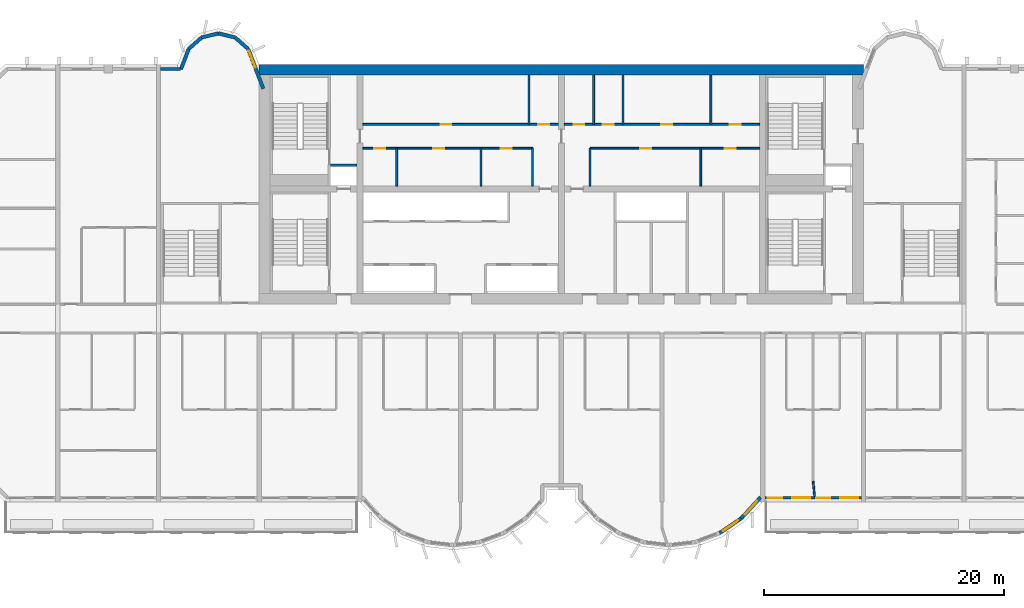
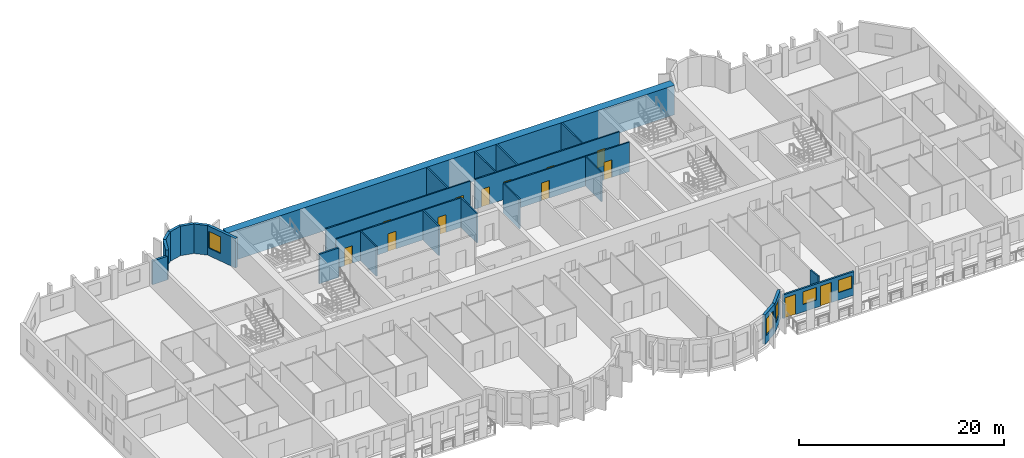
# One storey, part 7 of 14: 26 walls, 13 doors, 5 windows, 18 openings.
"""IFC4 building model written with IfcOpenShell, lengths in metres."""

from ifc_helpers import new_model, si_unit, direction, frame, frame_2d, origin, place, context, subcontext, project, spatial, rectangle, extrude, source, transform, mapped, material, layer, layer_set, type_object, element, fill, save


model = new_model("IFC4")

# Units and contexts
model_context = context("Model", 3, precision=1e-05, world=origin(), true_north=direction((0.0, 1.0)))
body_context = subcontext(model_context, "Body", "Model", "MODEL_VIEW")
ifc_project = project(units=[si_unit("LENGTHUNIT", "METRE"), si_unit("AREAUNIT", "SQUARE_METRE"), si_unit("VOLUMEUNIT", "CUBIC_METRE"), si_unit("PLANEANGLEUNIT", "RADIAN"), si_unit("MASSUNIT", "GRAM", prefix="KILO")], contexts=[model_context])

# Site, building, storey
site_placement = place(None, origin())
site = spatial("IfcSite", under=ifc_project, at=site_placement, CompositionType="ELEMENT")
building_placement = place(site_placement, origin())
building = spatial("IfcBuilding", under=site, at=building_placement, Name="Vanashikhar Sky Hotel", CompositionType="ELEMENT")
storey_placement = place(building_placement, frame((0.0, 0.0, 114.199951171875)))
storey = spatial("IfcBuildingStorey", under=building, at=storey_placement, Name="L27", CompositionType="ELEMENT", Elevation=114.199951171875)

# Wall
ifc_material_1 = material(Name="Concrete M70", Category="concrete")
ifc_layer_1 = layer(ifc_material_1, 0.89990234375)
ifc_layer_set_1 = layer_set([ifc_layer_1], Name="RC core shell wall 900 Concrete M70")
wall_type_1 = type_object("IfcWallType", Name="RC core shell wall 900 Concrete M70", PredefinedType="SHEAR", material=ifc_layer_set_1)
shared_shape_1 = source(origin(), body_context, "Body", "SweptSolid", [
    extrude(rectangle(XDim=50.400146484375, YDim=0.89990234375, at=frame_2d((25.2001953125, 0.0))), origin(), (0.0, 0.0, 1.0), 3.52001953125),
])
wall_1_placement = place(storey_placement, frame((25.199951171875, 41.550048828125, 0.0), z_axis=(0.0, 0.0, 1.0), x_axis=(1.0, 0.0, 0.0)))
element("IfcWall", 1, at=wall_1_placement, inside=storey, type_object=wall_type_1, Name="KW-L27-KN", PredefinedType="SHEAR", context=body_context, shape_type="MappedRepresentation", body=[
    mapped(shared_shape_1, transform((0.0, 0.0, 0.0), scale=1.0)),
])

# Wall, opening, window
ifc_material_2 = material(Name="Concrete M50", Category="concrete")
ifc_layer_2 = layer(ifc_material_2, 0.300048828125)
ifc_layer_set_2 = layer_set([ifc_layer_2], Name="Lobe wall 300")
wall_type_2 = type_object("IfcWallType", Name="Lobe wall 300", PredefinedType="SOLIDWALL", material=ifc_layer_set_2)
shared_shape_2 = source(origin(), body_context, "Body", "SweptSolid", [
    extrude(rectangle(XDim=2.398193359375, YDim=0.300048828125, at=frame_2d((1.19921875, 0.0))), origin(), (0.0, 0.0, 1.0), 3.52001953125),
])
wall_2_placement = place(storey_placement, frame((65.404296875, 4.13134765625, 0.0), z_axis=(0.0, 0.0, 1.0), x_axis=(0.675374189419, 0.737475222815, 0.0)))
wall_2 = element("IfcWall", 2, at=wall_2_placement, inside=storey, type_object=wall_type_2, Name="Lobe wall", PredefinedType="SOLIDWALL", context=body_context, shape_type="MappedRepresentation", body=[
    mapped(shared_shape_2, transform((0.0, 0.0, 0.0), scale=1.0)),
])
shared_shape_3 = source(origin(), body_context, "Body", "SweptSolid", [
    extrude(rectangle(XDim=1.5, YDim=2.0, at=frame_2d((0.75, 1.0))), frame((0.0, 0.16015625, 0.0), z_axis=(0.0, -1.0, 0.0), x_axis=(1.0, 0.0, 0.0)), (0.0, 0.0, 1.0), 0.320068359375),
])
opening_1_placement = place(wall_2_placement, frame((0.44921875, 0.0, 0.89990234375)))
opening_1 = element("IfcOpeningElement", 3, at=opening_1_placement, cuts=wall_2, Name="Opening WN-2", PredefinedType="OPENING", context=body_context, shape_type="MappedRepresentation", body=[
    mapped(shared_shape_3, transform((0.0, 0.0, 0.0), scale=1.0)),
])
ifc_material_3 = material(Name="Glass", Category="glass")
window_type_1 = type_object("IfcWindowType", Name="Lobe window 1500 x 2000", PartitioningType="SINGLE_PANEL", PredefinedType="WINDOW", material=ifc_material_3)
shared_shape_4 = source(origin(), body_context, "Body", "SweptSolid", [
    extrude(rectangle(XDim=1.5, YDim=2.0, at=frame_2d((0.75, 1.0))), frame((0.0, 0.030029296875, 0.0), z_axis=(0.0, -1.0, 0.0), x_axis=(1.0, 0.0, 0.0)), (0.0, 0.0, 1.0), 0.06005859375),
])
window_1_placement = place(opening_1_placement, origin())
window_1 = element("IfcWindow", 4, at=window_1_placement, inside=storey, type_object=window_type_1, Name="Window WN-2", OverallHeight=2.0, OverallWidth=1.5, PartitioningType="SINGLE_PANEL", PredefinedType="WINDOW", context=body_context, shape_type="MappedRepresentation", body=[
    mapped(shared_shape_4, transform((0.0, 0.0, 0.0), scale=1.0)),
])
fill(opening_1, window_1)

shared_shape_5 = source(origin(), body_context, "Body", "SweptSolid", [
    extrude(rectangle(XDim=2.17578125, YDim=0.300048828125, at=frame_2d((1.087890625, 0.0))), origin(), (0.0, 0.0, 1.0), 3.52001953125),
])
wall_3_placement = place(storey_placement, frame((63.59912109375, 2.91650390625, 0.0), z_axis=(0.0, 0.0, 1.0), x_axis=(0.829625727223, 0.558319937607, 0.0)))
wall_3 = element("IfcWall", 5, at=wall_3_placement, inside=storey, type_object=wall_type_2, Name="Lobe wall", PredefinedType="SOLIDWALL", context=body_context, shape_type="MappedRepresentation", body=[
    mapped(shared_shape_5, transform((0.0, 0.0, 0.0), scale=1.0)),
])
opening_2_placement = place(wall_3_placement, frame((0.337890625, 0.0, 0.89990234375)))
opening_2 = element("IfcOpeningElement", 6, at=opening_2_placement, cuts=wall_3, Name="Opening WN-2", PredefinedType="OPENING", context=body_context, shape_type="MappedRepresentation", body=[
    mapped(shared_shape_3, transform((0.0, 0.0, 0.0), scale=1.0)),
])
window_2_placement = place(opening_2_placement, origin())
window_2 = element("IfcWindow", 7, at=window_2_placement, inside=storey, type_object=window_type_1, Name="Window WN-2", OverallHeight=2.0, OverallWidth=1.5, PartitioningType="SINGLE_PANEL", PredefinedType="WINDOW", context=body_context, shape_type="MappedRepresentation", body=[
    mapped(shared_shape_4, transform((0.0, 0.0, 0.0), scale=1.0)),
])
fill(opening_2, window_2)

shared_shape_6 = source(origin(), body_context, "Body", "SweptSolid", [
    extrude(rectangle(XDim=3.55908203125, YDim=0.300048828125, at=frame_2d((1.779541015625, 0.0))), origin(), (0.0, 0.0, 1.0), 3.52001953125),
])
wall_4_placement = place(storey_placement, frame((25.550048828125, 39.968505859375, 0.0), z_axis=(0.0, 0.0, 1.0), x_axis=(-0.35779745313, 0.933799219604, 0.0)))
wall_4 = element("IfcWall", 8, at=wall_4_placement, inside=storey, type_object=wall_type_2, Name="Lobe wall", PredefinedType="SOLIDWALL", context=body_context, shape_type="MappedRepresentation", body=[
    mapped(shared_shape_6, transform((0.0, 0.0, 0.0), scale=1.0)),
])
opening_3_placement = place(wall_4_placement, frame((1.9033203125, 0.0, 0.89990234375)))
opening_3 = element("IfcOpeningElement", 9, at=opening_3_placement, cuts=wall_4, Name="Opening WN-2", PredefinedType="OPENING", context=body_context, shape_type="MappedRepresentation", body=[
    mapped(shared_shape_3, transform((0.0, 0.0, 0.0), scale=1.0)),
])
window_3_placement = place(opening_3_placement, origin())
window_3 = element("IfcWindow", 10, at=window_3_placement, inside=storey, type_object=window_type_1, Name="Window WN-2", OverallHeight=2.0, OverallWidth=1.5, PartitioningType="SINGLE_PANEL", PredefinedType="WINDOW", context=body_context, shape_type="MappedRepresentation", body=[
    mapped(shared_shape_4, transform((0.0, 0.0, 0.0), scale=1.0)),
])
fill(opening_3, window_3)

# Walls
shared_shape_7 = source(origin(), body_context, "Body", "SweptSolid", [
    extrude(rectangle(XDim=1.440185546875, YDim=0.300048828125, at=frame_2d((0.72021484375, 0.0))), origin(), (0.0, 0.0, 1.0), 3.52001953125),
])
wall_5_placement = place(storey_placement, frame((24.276611328125, 43.2919921875, 0.0), z_axis=(0.0, 0.0, 1.0), x_axis=(-0.749649827867, 0.661834673902, 0.0)))
element("IfcWall", 11, at=wall_5_placement, inside=storey, type_object=wall_type_2, Name="Lobe wall", PredefinedType="SOLIDWALL", context=body_context, shape_type="MappedRepresentation", body=[
    mapped(shared_shape_7, transform((0.0, 0.0, 0.0), scale=1.0)),
])
shared_shape_8 = source(origin(), body_context, "Body", "SweptSolid", [
    extrude(rectangle(XDim=1.4384765625, YDim=0.300048828125, at=frame_2d((0.71923828125, 0.0))), origin(), (0.0, 0.0, 1.0), 3.52001953125),
])
wall_6_placement = place(storey_placement, frame((23.197021484375, 44.2451171875, 0.0), z_axis=(0.0, 0.0, 1.0), x_axis=(-0.971152283879, 0.238460146601, 0.0)))
element("IfcWall", 12, at=wall_6_placement, inside=storey, type_object=wall_type_2, Name="Lobe wall", PredefinedType="SOLIDWALL", context=body_context, shape_type="MappedRepresentation", body=[
    mapped(shared_shape_8, transform((0.0, 0.0, 0.0), scale=1.0)),
])
shared_shape_9 = source(origin(), body_context, "Body", "SweptSolid", [
    extrude(rectangle(XDim=1.438720703125, YDim=0.300048828125, at=frame_2d((0.71923828125, 0.0))), origin(), (0.0, 0.0, 1.0), 3.52001953125),
])
wall_7_placement = place(storey_placement, frame((21.800048828125, 44.588134765625, 0.0), z_axis=(0.0, 0.0, 1.0), x_axis=(-0.971161932466, -0.238420848351, 0.0)))
element("IfcWall", 13, at=wall_7_placement, inside=storey, type_object=wall_type_2, Name="Lobe wall", PredefinedType="SOLIDWALL", context=body_context, shape_type="MappedRepresentation", body=[
    mapped(shared_shape_9, transform((0.0, 0.0, 0.0), scale=1.0)),
])
shared_shape_10 = source(origin(), body_context, "Body", "SweptSolid", [
    extrude(rectangle(XDim=1.43994140625, YDim=0.300048828125, at=frame_2d((0.719970703125, 0.0))), origin(), (0.0, 0.0, 1.0), 3.52001953125),
])
wall_8_placement = place(storey_placement, frame((20.40283203125, 44.2451171875, 0.0), z_axis=(0.0, 0.0, 1.0), x_axis=(-0.74957555648, -0.661918790432, 0.0)))
element("IfcWall", 14, at=wall_8_placement, inside=storey, type_object=wall_type_2, Name="Lobe wall", PredefinedType="SOLIDWALL", context=body_context, shape_type="MappedRepresentation", body=[
    mapped(shared_shape_10, transform((0.0, 0.0, 0.0), scale=1.0)),
])
shared_shape_11 = source(origin(), body_context, "Body", "SweptSolid", [
    extrude(rectangle(XDim=1.81201171875, YDim=0.300048828125, at=frame_2d((0.906005859375, 0.0))), origin(), (0.0, 0.0, 1.0), 3.52001953125),
])
wall_9_placement = place(storey_placement, frame((19.323486328125, 43.2919921875, 0.0), z_axis=(0.0, 0.0, 1.0), x_axis=(-0.357877270961, -0.93376863244, 0.0)))
element("IfcWall", 15, at=wall_9_placement, inside=storey, type_object=wall_type_2, Name="Lobe wall", PredefinedType="SOLIDWALL", context=body_context, shape_type="MappedRepresentation", body=[
    mapped(shared_shape_11, transform((0.0, 0.0, 0.0), scale=1.0)),
])

# Wall, openings, windows, doors
ifc_layer_3 = layer(ifc_material_2, 0.199951171875)
ifc_layer_set_3 = layer_set([ifc_layer_3], Name="Front window wall 200")
wall_type_3 = type_object("IfcWallType", Name="Front window wall 200", PredefinedType="SOLIDWALL", material=ifc_layer_set_3)
shared_shape_12 = source(origin(), body_context, "Body", "SweptSolid", [
    extrude(rectangle(XDim=8.050048828125, YDim=0.199951171875, at=frame_2d((4.02490234375, 0.0))), origin(), (0.0, 0.0, 1.0), 2.820068359375),
])
wall_10_placement = place(storey_placement, frame((67.375, 5.85009765625, 0.0), z_axis=(0.0, 0.0, 1.0), x_axis=(1.0, 0.0, 0.0)))
wall_10 = element("IfcWall", 16, at=wall_10_placement, inside=storey, type_object=wall_type_3, Name="Front window wall", PredefinedType="SOLIDWALL", context=body_context, shape_type="MappedRepresentation", body=[
    mapped(shared_shape_12, transform((0.0, 0.0, 0.0), scale=1.0)),
])
shared_shape_13 = source(origin(), body_context, "Body", "SweptSolid", [
    extrude(rectangle(XDim=1.199951171875, YDim=2.39990234375, at=frame_2d((0.60009765625, 1.199951171875))), frame((0.0, 0.10986328125, 0.0), z_axis=(0.0, -1.0, 0.0), x_axis=(1.0, 0.0, 0.0)), (0.0, 0.0, 1.0), 0.219970703125),
])
opening_4_placement = place(wall_10_placement, frame((0.25, 0.0, 0.0)))
opening_4 = element("IfcOpeningElement", 17, at=opening_4_placement, cuts=wall_10, Name="Opening BD-08", PredefinedType="OPENING", context=body_context, shape_type="MappedRepresentation", body=[
    mapped(shared_shape_13, transform((0.0, 0.0, 0.0), scale=1.0)),
])
shared_shape_14 = source(origin(), body_context, "Body", "SweptSolid", [
    extrude(rectangle(XDim=1.5, YDim=1.5, at=frame_2d((0.75, 0.75))), frame((0.0, 0.10986328125, 0.0), z_axis=(0.0, -1.0, 0.0), x_axis=(1.0, 0.0, 0.0)), (0.0, 0.0, 1.0), 0.219970703125),
])
opening_5_placement = place(wall_10_placement, frame((2.27490234375, 0.0, 0.89990234375)))
opening_5 = element("IfcOpeningElement", 18, at=opening_5_placement, cuts=wall_10, Name="Opening WN-1", PredefinedType="OPENING", context=body_context, shape_type="MappedRepresentation", body=[
    mapped(shared_shape_14, transform((0.0, 0.0, 0.0), scale=1.0)),
])
opening_6_placement = place(wall_10_placement, frame((4.27490234375, 0.0, 0.0)))
opening_6 = element("IfcOpeningElement", 19, at=opening_6_placement, cuts=wall_10, Name="Opening BD-09", PredefinedType="OPENING", context=body_context, shape_type="MappedRepresentation", body=[
    mapped(shared_shape_13, transform((0.0, 0.0, 0.0), scale=1.0)),
])
opening_7_placement = place(wall_10_placement, frame((6.300048828125, 0.0, 0.89990234375)))
opening_7 = element("IfcOpeningElement", 20, at=opening_7_placement, cuts=wall_10, Name="Opening WN-1", PredefinedType="OPENING", context=body_context, shape_type="MappedRepresentation", body=[
    mapped(shared_shape_14, transform((0.0, 0.0, 0.0), scale=1.0)),
])
window_type_2 = type_object("IfcWindowType", Name="Window 1500 x 1500", PartitioningType="SINGLE_PANEL", PredefinedType="WINDOW", material=ifc_material_3)
shared_shape_15 = source(origin(), body_context, "Body", "SweptSolid", [
    extrude(rectangle(XDim=1.5, YDim=1.5, at=frame_2d((0.75, 0.75))), frame((0.0, 0.030029296875, 0.0), z_axis=(0.0, -1.0, 0.0), x_axis=(1.0, 0.0, 0.0)), (0.0, 0.0, 1.0), 0.06005859375),
])
window_4_placement = place(opening_5_placement, origin())
window_4 = element("IfcWindow", 21, at=window_4_placement, inside=storey, type_object=window_type_2, Name="Window WN-1", OverallHeight=1.5, OverallWidth=1.5, PartitioningType="SINGLE_PANEL", PredefinedType="WINDOW", context=body_context, shape_type="MappedRepresentation", body=[
    mapped(shared_shape_15, transform((0.0, 0.0, 0.0), scale=1.0)),
])
fill(opening_5, window_4)
window_5_placement = place(opening_7_placement, origin())
window_5 = element("IfcWindow", 22, at=window_5_placement, inside=storey, type_object=window_type_2, Name="Window WN-1", OverallHeight=1.5, OverallWidth=1.5, PartitioningType="SINGLE_PANEL", PredefinedType="WINDOW", context=body_context, shape_type="MappedRepresentation", body=[
    mapped(shared_shape_15, transform((0.0, 0.0, 0.0), scale=1.0)),
])
fill(opening_7, window_5)
ifc_material_4 = material(Name="Aluminium", Category="aluminium")
door_type_1 = type_object("IfcDoorType", Name="Balcony sliding door 1200 x 2400", OperationType="NOTDEFINED", PredefinedType="DOOR", material=ifc_material_4)
shared_shape_16 = source(origin(), body_context, "Body", "SweptSolid", [
    extrude(rectangle(XDim=1.199951171875, YDim=2.39990234375, at=frame_2d((0.60009765625, 1.199951171875))), frame((0.0, 0.02490234375, 0.0), z_axis=(0.0, -1.0, 0.0), x_axis=(1.0, 0.0, 0.0)), (0.0, 0.0, 1.0), 0.050048828125),
])
door_1_placement = place(opening_4_placement, origin())
door_1 = element("IfcDoor", 23, at=door_1_placement, inside=storey, type_object=door_type_1, Name="Balcony sliding door", OperationType="SLIDING_TO_RIGHT", OverallHeight=2.39990234375, OverallWidth=1.199951171875, PredefinedType="DOOR", context=body_context, shape_type="MappedRepresentation", body=[
    mapped(shared_shape_16, transform((0.0, 0.0, 0.0), scale=1.0)),
])
fill(opening_4, door_1)
door_2_placement = place(opening_6_placement, origin())
door_2 = element("IfcDoor", 24, at=door_2_placement, inside=storey, type_object=door_type_1, Name="Balcony sliding door", OperationType="SLIDING_TO_LEFT", OverallHeight=2.39990234375, OverallWidth=1.199951171875, PredefinedType="DOOR", context=body_context, shape_type="MappedRepresentation", body=[
    mapped(shared_shape_16, transform((0.0, 0.0, 0.0), scale=1.0)),
])
fill(opening_6, door_2)

# Walls
ifc_layer_4 = layer(ifc_material_2, 0.25)
ifc_layer_set_4 = layer_set([ifc_layer_4], Name="Rear and end board-marked wall 250")
wall_type_4 = type_object("IfcWallType", Name="Rear and end board-marked wall 250", PredefinedType="SOLIDWALL", material=ifc_layer_set_4)
shared_shape_17 = source(origin(), body_context, "Body", "SweptSolid", [
    extrude(rectangle(XDim=1.682861328125, YDim=0.25, at=frame_2d((0.84130859375, 0.0))), origin(), (0.0, 0.0, 1.0), 2.820068359375),
])
wall_11_placement = place(storey_placement, frame((18.657958984375, 41.625, 0.0), z_axis=(0.0, 0.0, 1.0), x_axis=(-1.0, 0.0, 0.0)))
element("IfcWall", 25, at=wall_11_placement, inside=storey, type_object=wall_type_4, Name="Rear board-marked wall", PredefinedType="SOLIDWALL", context=body_context, shape_type="MappedRepresentation", body=[
    mapped(shared_shape_17, transform((0.0, 0.0, 0.0), scale=1.0)),
])
ifc_material_5 = material(Name="Gypsum board partition")
ifc_layer_5 = layer(ifc_material_5, 0.14990234375)
ifc_layer_set_5 = layer_set([ifc_layer_5], Name="Service partition 150")
wall_type_5 = type_object("IfcWallType", Name="Service partition 150", PredefinedType="PARTITIONING", material=ifc_layer_set_5)
shared_shape_18 = source(origin(), body_context, "Body", "SweptSolid", [
    extrude(rectangle(XDim=3.14990234375, YDim=0.14990234375, at=frame_2d((1.574951171875, 0.0))), origin(), (0.0, 0.0, 1.0), 3.52001953125),
])
for number, where, z_axis, x_axis, name in (
    (26, (48.0, 31.85009765625, 0.0), (0.0, 0.0, 1.0), (0.0, 1.0, 0.0), "Service partition 150"),
    (27, (36.6650390625, 31.85009765625, 0.0), (0.0, 0.0, 1.0), (0.0, 1.0, 0.0), "Service partition 150"),
    (28, (43.702880859375, 31.85009765625, 0.0), (0.0, 0.0, 1.0), (0.0, 1.0, 0.0), "Service partition 150"),
    (29, (52.800048828125, 31.85009765625, 0.0), (0.0, 0.0, 1.0), (0.0, 1.0, 0.0), "Service partition 150"),
    (30, (62.02392578125, 31.85009765625, 0.0), (0.0, 0.0, 1.0), (0.0, 1.0, 0.0), "Service partition 150"),
):
    element("IfcWall", number, at=place(storey_placement, frame(where, z_axis=z_axis, x_axis=x_axis)), inside=storey, type_object=wall_type_5, Name=name, PredefinedType="PARTITIONING", context=body_context, shape_type="MappedRepresentation", body=[
        mapped(shared_shape_18, transform((0.0, 0.0, 0.0), scale=1.0)),
    ])

# Wall, openings, doors
shared_shape_19 = source(origin(), body_context, "Body", "SweptSolid", [
    extrude(rectangle(XDim=14.14990234375, YDim=0.14990234375, at=frame_2d((7.074951171875, 0.0))), origin(), (0.0, 0.0, 1.0), 3.52001953125),
])
wall_12_placement = place(storey_placement, frame((33.85009765625, 35.0, 0.0), z_axis=(0.0, 0.0, 1.0), x_axis=(1.0, 0.0, 0.0)))
wall_12 = element("IfcWall", 31, at=wall_12_placement, inside=storey, type_object=wall_type_5, Name="Service partition 150", PredefinedType="PARTITIONING", context=body_context, shape_type="MappedRepresentation", body=[
    mapped(shared_shape_19, transform((0.0, 0.0, 0.0), scale=1.0)),
])
shared_shape_20 = source(origin(), body_context, "Body", "SweptSolid", [
    extrude(rectangle(XDim=0.89990234375, YDim=2.10009765625, at=frame_2d((0.449951171875, 1.050048828125))), frame((0.0, 0.0849609375, 0.0), z_axis=(0.0, -1.0, 0.0), x_axis=(1.0, 0.0, 0.0)), (0.0, 0.0, 1.0), 0.169921875),
])
opening_8_placement = place(wall_12_placement, frame((0.9580078125, 0.0, 0.0)))
opening_8 = element("IfcOpeningElement", 32, at=opening_8_placement, cuts=wall_12, Name="Opening DC-4-A", PredefinedType="OPENING", context=body_context, shape_type="MappedRepresentation", body=[
    mapped(shared_shape_20, transform((0.0, 0.0, 0.0), scale=1.0)),
])
opening_9_placement = place(wall_12_placement, frame((5.884033203125, 0.0, 0.0)))
opening_9 = element("IfcOpeningElement", 33, at=opening_9_placement, cuts=wall_12, Name="Opening DC-4-A", PredefinedType="OPENING", context=body_context, shape_type="MappedRepresentation", body=[
    mapped(shared_shape_20, transform((0.0, 0.0, 0.0), scale=1.0)),
])
opening_10_placement = place(wall_12_placement, frame((11.513916015625, 0.0, 0.0)))
opening_10 = element("IfcOpeningElement", 34, at=opening_10_placement, cuts=wall_12, Name="Opening DC-4-A", PredefinedType="OPENING", context=body_context, shape_type="MappedRepresentation", body=[
    mapped(shared_shape_20, transform((0.0, 0.0, 0.0), scale=1.0)),
])
ifc_material_6 = material(Name="Steel", Category="steel")
door_type_2 = type_object("IfcDoorType", Name="Service door 900 FD60", OperationType="NOTDEFINED", PredefinedType="DOOR", material=ifc_material_6)
shared_shape_21 = source(origin(), body_context, "Body", "SweptSolid", [
    extrude(rectangle(XDim=0.89990234375, YDim=2.10009765625, at=frame_2d((0.449951171875, 1.050048828125))), frame((0.0, 0.02490234375, 0.0), z_axis=(0.0, -1.0, 0.0), x_axis=(1.0, 0.0, 0.0)), (0.0, 0.0, 1.0), 0.050048828125),
])
door_3_placement = place(opening_8_placement, origin())
door_3 = element("IfcDoor", 35, at=door_3_placement, inside=storey, type_object=door_type_2, Name="Service door 900 FD60", OperationType="SINGLE_SWING_RIGHT", OverallHeight=2.10009765625, OverallWidth=0.89990234375, PredefinedType="DOOR", context=body_context, shape_type="MappedRepresentation", body=[
    mapped(shared_shape_21, transform((0.0, 0.0, 0.0), scale=1.0)),
])
fill(opening_8, door_3)
door_4_placement = place(opening_9_placement, origin())
door_4 = element("IfcDoor", 36, at=door_4_placement, inside=storey, type_object=door_type_2, Name="Service door 900 FD60", OperationType="SINGLE_SWING_RIGHT", OverallHeight=2.10009765625, OverallWidth=0.89990234375, PredefinedType="DOOR", context=body_context, shape_type="MappedRepresentation", body=[
    mapped(shared_shape_21, transform((0.0, 0.0, 0.0), scale=1.0)),
])
fill(opening_9, door_4)
door_5_placement = place(opening_10_placement, origin())
door_5 = element("IfcDoor", 37, at=door_5_placement, inside=storey, type_object=door_type_2, Name="Service door 900 FD60", OperationType="SINGLE_SWING_LEFT", OverallHeight=2.10009765625, OverallWidth=0.89990234375, PredefinedType="DOOR", context=body_context, shape_type="MappedRepresentation", body=[
    mapped(shared_shape_21, transform((0.0, 0.0, 0.0), scale=1.0)),
])
fill(opening_10, door_5)

wall_13_placement = place(storey_placement, frame((66.949951171875, 35.0, 0.0), z_axis=(0.0, 0.0, 1.0), x_axis=(-1.0, 0.0, 0.0)))
wall_13 = element("IfcWall", 38, at=wall_13_placement, inside=storey, type_object=wall_type_5, Name="Service partition 150", PredefinedType="PARTITIONING", context=body_context, shape_type="MappedRepresentation", body=[
    mapped(shared_shape_19, transform((0.0, 0.0, 0.0), scale=1.0)),
])
opening_11_placement = place(wall_13_placement, frame((2.012939453125, 0.0, 0.0)))
opening_11 = element("IfcOpeningElement", 39, at=opening_11_placement, cuts=wall_13, Name="Opening DC-4-A", PredefinedType="OPENING", context=body_context, shape_type="MappedRepresentation", body=[
    mapped(shared_shape_20, transform((0.0, 0.0, 0.0), scale=1.0)),
])
opening_12_placement = place(wall_13_placement, frame((9.051025390625, 0.0, 0.0)))
opening_12 = element("IfcOpeningElement", 40, at=opening_12_placement, cuts=wall_13, Name="Opening DC-4-A", PredefinedType="OPENING", context=body_context, shape_type="MappedRepresentation", body=[
    mapped(shared_shape_20, transform((0.0, 0.0, 0.0), scale=1.0)),
])
door_6_placement = place(opening_11_placement, origin())
door_6 = element("IfcDoor", 41, at=door_6_placement, inside=storey, type_object=door_type_2, Name="Service door 900 FD60", OperationType="SINGLE_SWING_LEFT", OverallHeight=2.10009765625, OverallWidth=0.89990234375, PredefinedType="DOOR", context=body_context, shape_type="MappedRepresentation", body=[
    mapped(shared_shape_21, transform((0.0, 0.0, 0.0), scale=1.0)),
])
fill(opening_11, door_6)
door_7_placement = place(opening_12_placement, origin())
door_7 = element("IfcDoor", 42, at=door_7_placement, inside=storey, type_object=door_type_2, Name="Service door 900 FD60", OperationType="SINGLE_SWING_LEFT", OverallHeight=2.10009765625, OverallWidth=0.89990234375, PredefinedType="DOOR", context=body_context, shape_type="MappedRepresentation", body=[
    mapped(shared_shape_21, transform((0.0, 0.0, 0.0), scale=1.0)),
])
fill(opening_12, door_7)

shared_shape_22 = source(origin(), body_context, "Body", "SweptSolid", [
    extrude(rectangle(XDim=16.2998046875, YDim=0.14990234375, at=frame_2d((8.14990234375, 0.0))), origin(), (0.0, 0.0, 1.0), 3.52001953125),
])
wall_14_placement = place(storey_placement, frame((33.85009765625, 37.0, 0.0), z_axis=(0.0, 0.0, 1.0), x_axis=(1.0, 0.0, 0.0)))
wall_14 = element("IfcWall", 43, at=wall_14_placement, inside=storey, type_object=wall_type_5, Name="Service partition 150", PredefinedType="PARTITIONING", context=body_context, shape_type="MappedRepresentation", body=[
    mapped(shared_shape_22, transform((0.0, 0.0, 0.0), scale=1.0)),
])
opening_13_placement = place(wall_14_placement, frame((6.47802734375, 0.0, 0.0)))
opening_13 = element("IfcOpeningElement", 44, at=opening_13_placement, cuts=wall_14, Name="Opening DC-4-A", PredefinedType="OPENING", context=body_context, shape_type="MappedRepresentation", body=[
    mapped(shared_shape_20, transform((0.0, 0.0, 0.0), scale=1.0)),
])
opening_14_placement = place(wall_14_placement, frame((14.626953125, 0.0, 0.0)))
opening_14 = element("IfcOpeningElement", 45, at=opening_14_placement, cuts=wall_14, Name="Opening DC-4-A", PredefinedType="OPENING", context=body_context, shape_type="MappedRepresentation", body=[
    mapped(shared_shape_20, transform((0.0, 0.0, 0.0), scale=1.0)),
])
door_8_placement = place(opening_13_placement, origin())
door_8 = element("IfcDoor", 46, at=door_8_placement, inside=storey, type_object=door_type_2, Name="Service door 900 FD60", OperationType="SINGLE_SWING_RIGHT", OverallHeight=2.10009765625, OverallWidth=0.89990234375, PredefinedType="DOOR", context=body_context, shape_type="MappedRepresentation", body=[
    mapped(shared_shape_21, transform((0.0, 0.0, 0.0), scale=1.0)),
])
fill(opening_13, door_8)
door_9_placement = place(opening_14_placement, origin())
door_9 = element("IfcDoor", 47, at=door_9_placement, inside=storey, type_object=door_type_2, Name="Service door 900 FD60", OperationType="SINGLE_SWING_RIGHT", OverallHeight=2.10009765625, OverallWidth=0.89990234375, PredefinedType="DOOR", context=body_context, shape_type="MappedRepresentation", body=[
    mapped(shared_shape_21, transform((0.0, 0.0, 0.0), scale=1.0)),
])
fill(opening_14, door_9)

# Walls
shared_shape_23 = source(origin(), body_context, "Body", "SweptSolid", [
    extrude(rectangle(XDim=4.10009765625, YDim=0.14990234375, at=frame_2d((2.050048828125, 0.0))), origin(), (0.0, 0.0, 1.0), 3.52001953125),
])
for number, where, z_axis, x_axis, name in (
    (48, (47.705078125, 37.0, 0.0), (0.0, 0.0, 1.0), (0.0, 1.0, 0.0), "Service partition 150"),
    (49, (62.875, 37.0, 0.0), (0.0, 0.0, 1.0), (0.0, 1.0, 0.0), "Service partition 150"),
    (50, (55.5400390625, 37.0, 0.0), (0.0, 0.0, 1.0), (0.0, 1.0, 0.0), "Service partition 150"),
    (51, (53.094970703125, 37.0, 0.0), (0.0, 0.0, 1.0), (0.0, 1.0, 0.0), "Service partition 150"),
):
    element("IfcWall", number, at=place(storey_placement, frame(where, z_axis=z_axis, x_axis=x_axis)), inside=storey, type_object=wall_type_5, Name=name, PredefinedType="PARTITIONING", context=body_context, shape_type="MappedRepresentation", body=[
        mapped(shared_shape_23, transform((0.0, 0.0, 0.0), scale=1.0)),
    ])

# Wall, openings, doors
shared_shape_24 = source(origin(), body_context, "Body", "SweptSolid", [
    extrude(rectangle(XDim=16.300048828125, YDim=0.14990234375, at=frame_2d((8.14990234375, 0.0))), origin(), (0.0, 0.0, 1.0), 3.52001953125),
])
wall_15_placement = place(storey_placement, frame((66.949951171875, 37.0, 0.0), z_axis=(0.0, 0.0, 1.0), x_axis=(-1.0, 0.0, 0.0)))
wall_15 = element("IfcWall", 52, at=wall_15_placement, inside=storey, type_object=wall_type_5, Name="Service partition 150", PredefinedType="PARTITIONING", context=body_context, shape_type="MappedRepresentation", body=[
    mapped(shared_shape_24, transform((0.0, 0.0, 0.0), scale=1.0)),
])
opening_15_placement = place(wall_15_placement, frame((1.587890625, 0.0, 0.0)))
opening_15 = element("IfcOpeningElement", 53, at=opening_15_placement, cuts=wall_15, Name="Opening DC-4-A", PredefinedType="OPENING", context=body_context, shape_type="MappedRepresentation", body=[
    mapped(shared_shape_20, transform((0.0, 0.0, 0.0), scale=1.0)),
])
opening_16_placement = place(wall_15_placement, frame((7.29296875, 0.0, 0.0)))
opening_16 = element("IfcOpeningElement", 54, at=opening_16_placement, cuts=wall_15, Name="Opening DC-4-A", PredefinedType="OPENING", context=body_context, shape_type="MappedRepresentation", body=[
    mapped(shared_shape_20, transform((0.0, 0.0, 0.0), scale=1.0)),
])
opening_17_placement = place(wall_15_placement, frame((12.18310546875, 0.0, 0.0)))
opening_17 = element("IfcOpeningElement", 55, at=opening_17_placement, cuts=wall_15, Name="Opening DC-4-A", PredefinedType="OPENING", context=body_context, shape_type="MappedRepresentation", body=[
    mapped(shared_shape_20, transform((0.0, 0.0, 0.0), scale=1.0)),
])
opening_18_placement = place(wall_15_placement, frame((14.626953125, 0.0, 0.0)))
opening_18 = element("IfcOpeningElement", 56, at=opening_18_placement, cuts=wall_15, Name="Opening DC-4-A", PredefinedType="OPENING", context=body_context, shape_type="MappedRepresentation", body=[
    mapped(shared_shape_20, transform((0.0, 0.0, 0.0), scale=1.0)),
])
door_10_placement = place(opening_15_placement, origin())
door_10 = element("IfcDoor", 57, at=door_10_placement, inside=storey, type_object=door_type_2, Name="Service door 900 FD60", OperationType="SINGLE_SWING_LEFT", OverallHeight=2.10009765625, OverallWidth=0.89990234375, PredefinedType="DOOR", context=body_context, shape_type="MappedRepresentation", body=[
    mapped(shared_shape_21, transform((0.0, 0.0, 0.0), scale=1.0)),
])
fill(opening_15, door_10)
door_11_placement = place(opening_16_placement, origin())
door_11 = element("IfcDoor", 58, at=door_11_placement, inside=storey, type_object=door_type_2, Name="Service door 900 FD60", OperationType="SINGLE_SWING_LEFT", OverallHeight=2.10009765625, OverallWidth=0.89990234375, PredefinedType="DOOR", context=body_context, shape_type="MappedRepresentation", body=[
    mapped(shared_shape_21, transform((0.0, 0.0, 0.0), scale=1.0)),
])
fill(opening_16, door_11)
door_12_placement = place(opening_17_placement, origin())
door_12 = element("IfcDoor", 59, at=door_12_placement, inside=storey, type_object=door_type_2, Name="Service door 900 FD60", OperationType="SINGLE_SWING_LEFT", OverallHeight=2.10009765625, OverallWidth=0.89990234375, PredefinedType="DOOR", context=body_context, shape_type="MappedRepresentation", body=[
    mapped(shared_shape_21, transform((0.0, 0.0, 0.0), scale=1.0)),
])
fill(opening_17, door_12)
door_13_placement = place(opening_18_placement, origin())
door_13 = element("IfcDoor", 60, at=door_13_placement, inside=storey, type_object=door_type_2, Name="Service door 900 FD60", OperationType="SINGLE_SWING_RIGHT", OverallHeight=2.10009765625, OverallWidth=0.89990234375, PredefinedType="DOOR", context=body_context, shape_type="MappedRepresentation", body=[
    mapped(shared_shape_21, transform((0.0, 0.0, 0.0), scale=1.0)),
])
fill(opening_18, door_13)

# Walls
ifc_material_7 = material(Name="Concrete M40", Category="concrete")
ifc_layer_6 = layer(ifc_material_7, 0.199951171875)
ifc_layer_set_6 = layer_set([ifc_layer_6], Name="Shaft wall 200")
wall_type_6 = type_object("IfcWallType", Name="Shaft wall 200", PredefinedType="SOLIDWALL", material=ifc_layer_set_6)
shared_shape_25 = source(origin(), body_context, "Body", "SweptSolid", [
    extrude(rectangle(XDim=2.2001953125, YDim=0.199951171875, at=frame_2d((1.10009765625, 0.0))), origin(), (0.0, 0.0, 1.0), 3.52001953125),
])
wall_16_placement = place(storey_placement, frame((31.14990234375, 33.60009765625, 0.0), z_axis=(0.0, 0.0, 1.0), x_axis=(1.0, 0.0, 0.0)))
element("IfcWall", 61, at=wall_16_placement, inside=storey, type_object=wall_type_6, Name="Shaft wall 200", PredefinedType="SOLIDWALL", context=body_context, shape_type="MappedRepresentation", body=[
    mapped(shared_shape_25, transform((0.0, 0.0, 0.0), scale=1.0)),
])
ifc_material_8 = material(Name="Gypsum plasterboard partition")
ifc_layer_7 = layer(ifc_material_8, 0.14990234375)
ifc_layer_set_7 = layer_set([ifc_layer_7], Name="Corridor and demising partition 150")
wall_type_7 = type_object("IfcWallType", Name="Corridor and demising partition 150", PredefinedType="PARTITIONING", material=ifc_layer_set_7)
shared_shape_26 = source(origin(), body_context, "Body", "SweptSolid", [
    extrude(rectangle(XDim=1.306640625, YDim=0.14990234375, at=frame_2d((0.6533203125, 0.0))), origin(), (0.0, 0.0, 1.0), 3.52001953125),
])
wall_17_placement = place(storey_placement, frame((71.530029296875, 5.949951171875, 0.0), z_axis=(0.0, 0.0, 1.0), x_axis=(-0.099596223396, 0.99502793543, 0.0)))
element("IfcWall", 62, at=wall_17_placement, inside=storey, type_object=wall_type_7, Name="W-L27-PW040B0", PredefinedType="PARTITIONING", context=body_context, shape_type="MappedRepresentation", body=[
    mapped(shared_shape_26, transform((0.0, 0.0, 0.0), scale=1.0)),
])

save(model, "model.ifc")
